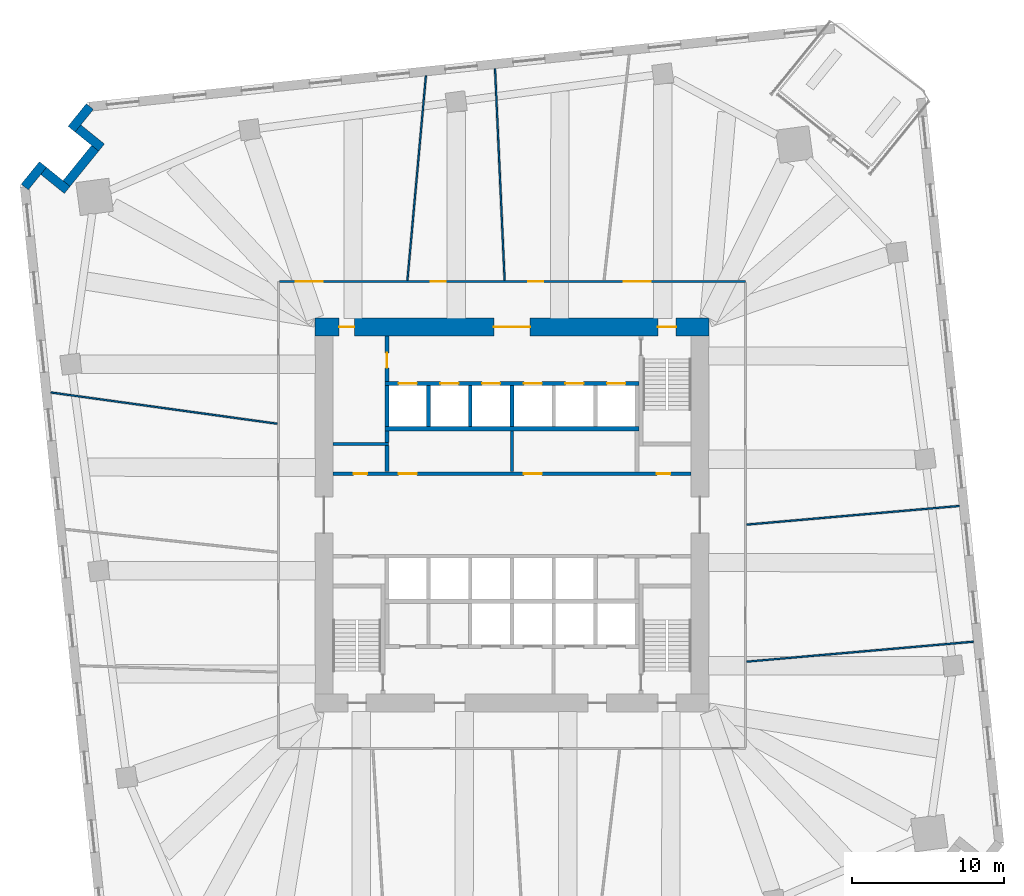
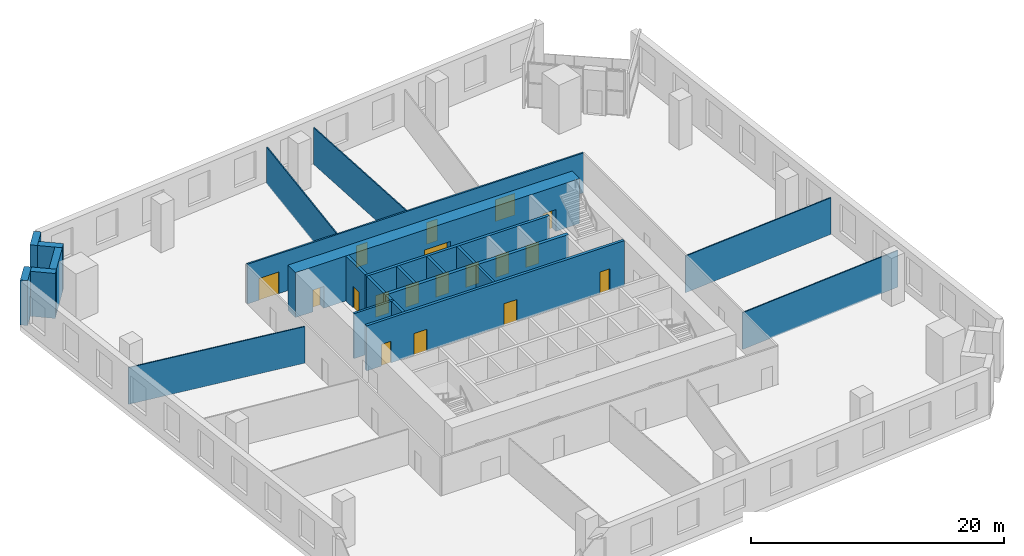
# One storey, part 6 of 10: 24 walls, 18 doors, 18 openings.
"""IFC4 building model written with IfcOpenShell, lengths in metres."""

import ifcopenshell
import ifcopenshell.guid

model = None  # the IFC model being written
_history = None  # IfcOwnerHistory: only IFC2X3 demands one
_inside = {}  # id of a spatial element -> (the spatial element, [elements in it])
_under = {}  # id of a project, library or spatial element -> (it, [spatial elements below it])
_declared = {}  # id of a project -> (the project, [libraries it declares])
_typed = {}  # id of a type object -> (the type object, [elements of that type])
_made_of = {}  # id of a material, layer set ... -> (it, [elements and type objects made of it])


def new_model(schema):
    """Start an empty IFC model of exactly this schema.

    Asked for "IFC4X3", IfcOpenShell would pick the latest addendum, in which some entities
    have other attributes; the version numbers below select the first issue.
    IFC2X3 requires an IfcOwnerHistory on every rooted entity: one is made here for all.
    """
    global model, _history
    if schema == "IFC4X3":
        model = ifcopenshell.file(schema_version=(4, 3, 0, 0))
    else:
        model = ifcopenshell.file(schema=schema)
    _inside.clear()
    _under.clear()
    _declared.clear()
    _typed.clear()
    _made_of.clear()
    _history = None
    if model.schema == "IFC2X3":
        org = make("IfcOrganization", Name="unknown")
        user = make(
            "IfcPersonAndOrganization",
            ThePerson=make("IfcPerson", FamilyName="unknown"),
            TheOrganization=org,
        )
        app = make(
            "IfcApplication",
            ApplicationDeveloper=org,
            Version="unknown",
            ApplicationFullName="unknown",
            ApplicationIdentifier="unknown",
        )
        _history = make(
            "IfcOwnerHistory",
            OwningUser=user,
            OwningApplication=app,
            ChangeAction="ADDED",
            CreationDate=0,
        )
    return model


def make(cls, **values):
    """One entity of the class cls with the attributes given. An attribute that is None is left unset."""
    return model.create_entity(
        cls, **{name: value for name, value in values.items() if value is not None}
    )


def rooted(cls, **values):
    """An entity with a GlobalId (a new one), such as an element, a storey or a relation."""
    return make(cls, GlobalId=ifcopenshell.guid.new(), OwnerHistory=_history, **values)


def si_unit(unit_type, name, prefix=None):
    """IfcSIUnit, for example si_unit("LENGTHUNIT", "METRE", prefix="MILLI")."""
    return make("IfcSIUnit", UnitType=unit_type, Prefix=prefix, Name=name)


def assignment(units):
    """IfcUnitAssignment: the units of a project."""
    return None if units is None else make("IfcUnitAssignment", Units=units)


def point(xyz):
    """IfcCartesianPoint."""
    return None if xyz is None else make("IfcCartesianPoint", Coordinates=xyz)


def direction(xyz):
    """IfcDirection."""
    return None if xyz is None else make("IfcDirection", DirectionRatios=xyz)


def frame(location, z_axis=None, x_axis=None):
    """IfcAxis2Placement3D, a coordinate frame: its origin and axes. An axis left out is left unset."""
    return make(
        "IfcAxis2Placement3D",
        Location=point(location),
        Axis=direction(z_axis),
        RefDirection=direction(x_axis),
    )


def frame_2d(location, x_axis=None):
    """IfcAxis2Placement2D, a coordinate frame in the plane: its origin and x axis."""
    return make(
        "IfcAxis2Placement2D", Location=point(location), RefDirection=direction(x_axis)
    )


def origin():
    """The frame at (0, 0, 0) with its axes left unset."""
    return frame((0.0, 0.0, 0.0))


def place(relative_to, where):
    """IfcLocalPlacement: puts the frame where relative to a parent placement (None: the world)."""
    return make(
        "IfcLocalPlacement", PlacementRelTo=relative_to, RelativePlacement=where
    )


def context(
    kind, dimensions, precision=None, world=None, true_north=None, identifier=None
):
    """IfcGeometricRepresentationContext, for example the 3D "Model" context."""
    return make(
        "IfcGeometricRepresentationContext",
        ContextIdentifier=identifier,
        ContextType=kind,
        CoordinateSpaceDimension=dimensions,
        Precision=precision,
        WorldCoordinateSystem=world,
        TrueNorth=true_north,
    )


def subcontext(parent, identifier, kind, view, scale=None):
    """IfcGeometricRepresentationSubContext, for example "Body" below "Model"."""
    return make(
        "IfcGeometricRepresentationSubContext",
        ContextIdentifier=identifier,
        ContextType=kind,
        ParentContext=parent,
        TargetScale=scale,
        TargetView=view,
    )


def project(units=None, contexts=None):
    """IfcProject with its units and contexts."""
    return rooted(
        "IfcProject",
        Name="project",
        RepresentationContexts=contexts,
        UnitsInContext=assignment(units),
    )


def spatial(cls, under=None, at=None, **own):
    """A site, building, storey or space (cls), placed at a placement, below another one or the project."""
    s = rooted(cls, ObjectPlacement=at, **own)
    if under is not None:
        _under.setdefault(under.id(), (under, []))[1].append(s)
    return s


def profile(cls, at=None, kind="AREA", **sizes):
    """A parametric profile (cls). Its sizes go by their IFC names, for example OverallWidth=200.0."""
    return make(cls, ProfileType=kind, Position=at, **sizes)


def rectangle(**sizes):
    """IfcRectangleProfileDef."""
    return profile("IfcRectangleProfileDef", **sizes)


def extrude(swept, where, along, depth):
    """IfcExtrudedAreaSolid: the profile swept, set in the frame where, extruded along a direction by depth."""
    return make(
        "IfcExtrudedAreaSolid",
        SweptArea=swept,
        Position=where,
        ExtrudedDirection=direction(along),
        Depth=depth,
    )


def shape(context_of_items, identifier, shape_type, items):
    """IfcShapeRepresentation: the items that make up one representation, for example the "Body"."""
    return make(
        "IfcShapeRepresentation",
        ContextOfItems=context_of_items,
        RepresentationIdentifier=identifier,
        RepresentationType=shape_type,
        Items=items,
    )


def material(Name=None, Category=None):
    """IfcMaterial."""
    return make("IfcMaterial", Name=Name, Category=Category)


def layer(
    of_material, thickness, ventilated=None, Name=None, Category=None, Priority=None
):
    """IfcMaterialLayer: one layer of a wall or slab, of a material (None: an air gap)."""
    return make(
        "IfcMaterialLayer",
        Material=of_material,
        LayerThickness=thickness,
        IsVentilated=ventilated,
        Name=Name,
        Category=Category,
        Priority=Priority,
    )


def layer_set(layers, Name=None):
    """IfcMaterialLayerSet."""
    return make("IfcMaterialLayerSet", MaterialLayers=layers, LayerSetName=Name)


def made_of(thing, what):
    """Note that an element or type object is made of a material, layer set ...; save() writes the relation."""
    if what is not None:
        _made_of.setdefault(what.id(), (what, []))[1].append(thing)
    return thing


def type_object(cls, material=None, **own):
    """A type object (cls), such as IfcWallType, which elements share."""
    return made_of(rooted(cls, **own), material)


def element(
    cls,
    number,
    at=None,
    inside=None,
    cuts=None,
    type_object=None,
    material=None,
    context=None,
    identifier="Body",
    shape_type=None,
    held_by="IfcProductDefinitionShape",
    body=None,
    shapes=None,
    **own,
):
    """One element of the class cls, such as IfcWall. Its Tag is "e" and its number.

    at: its placement. inside: the storey or other place that contains it. cuts: it is an
    opening in that element (IfcRelVoidsElement). A single representation is given by context,
    identifier, shape_type and body (its items); several are given by shapes. held_by: the class
    of the entity that holds the representations. save() writes the other relations.
    """
    e = rooted(cls, Tag="e%d" % number, ObjectPlacement=at, **own)
    if body is not None:
        shapes = [shape(context, identifier, shape_type, body)]
    if shapes is not None:
        e.Representation = make(held_by, Representations=shapes)
    if inside is not None:
        _inside.setdefault(inside.id(), (inside, []))[1].append(e)
    if cuts is not None:
        rooted(
            "IfcRelVoidsElement", RelatingBuildingElement=cuts, RelatedOpeningElement=e
        )
    if type_object is not None:
        _typed.setdefault(type_object.id(), (type_object, []))[1].append(e)
    return made_of(e, material)


def fill(opening, filler):
    """IfcRelFillsElement: the door or window that sits in an opening."""
    return rooted(
        "IfcRelFillsElement",
        RelatingOpeningElement=opening,
        RelatedBuildingElement=filler,
    )


def aggregate(whole, parts):
    """IfcRelAggregates: a whole, such as a stair, and the parts it consists of."""
    return rooted("IfcRelAggregates", RelatingObject=whole, RelatedObjects=parts)


def save(model, path):
    """Write the relations noted so far, then the file.

    IfcRelAggregates (storeys below a building ...), IfcRelContainedInSpatialStructure (elements
    in a storey), IfcRelDefinesByType, IfcRelAssociatesMaterial and IfcRelDeclares: one each for
    every whole, place, type object, material and project.
    """
    for whole, parts in _under.values():
        aggregate(whole, parts)
    for where, things in _inside.values():
        rooted(
            "IfcRelContainedInSpatialStructure",
            RelatedElements=things,
            RelatingStructure=where,
        )
    for kind, things in _typed.values():
        rooted("IfcRelDefinesByType", RelatedObjects=things, RelatingType=kind)
    for what, things in _made_of.values():
        rooted("IfcRelAssociatesMaterial", RelatedObjects=things, RelatingMaterial=what)
    for by, libraries in _declared.values():
        rooted("IfcRelDeclares", RelatingContext=by, RelatedDefinitions=libraries)
    model.write(path)


model = new_model("IFC4")

# Units and contexts
model_context = context("Model", 3, precision=1e-05, world=origin(), true_north=direction((0.0, 1.0)))
body_context = subcontext(model_context, "Body", "Model", "MODEL_VIEW")
ifc_project = project(units=[si_unit("LENGTHUNIT", "METRE"), si_unit("AREAUNIT", "SQUARE_METRE"), si_unit("VOLUMEUNIT", "CUBIC_METRE"), si_unit("PLANEANGLEUNIT", "RADIAN"), si_unit("MASSUNIT", "GRAM", prefix="KILO")], contexts=[model_context])

# Site, building, storey
site_placement = place(None, origin())
site = spatial("IfcSite", under=ifc_project, at=site_placement, CompositionType="ELEMENT")
building_placement = place(site_placement, origin())
building = spatial("IfcBuilding", under=site, at=building_placement, Name="Dilmun Exchange Tower", CompositionType="ELEMENT")
storey_placement = place(building_placement, frame((0.0, 0.0, 36.89990234375)))
storey = spatial("IfcBuildingStorey", under=building, at=storey_placement, Name="L08", CompositionType="ELEMENT", Elevation=36.89990234375)

# Walls
ifc_material_1 = material(Name="Concrete C40/50", Category="concrete")
ifc_layer_1 = layer(ifc_material_1, 0.199951171875)
ifc_layer_set_1 = layer_set([ifc_layer_1], Name="Concrete C40/50")
wall_type_1 = type_object("IfcWallType", Name="Core partition wall 200", PredefinedType="PARTITIONING", material=ifc_layer_set_1)
wall_1_placement = place(storey_placement, frame((0.0, 2.85498046875, 0.0), z_axis=(0.0, 0.0, 1.0), x_axis=(0.0, 1.0, 0.0)))
element("IfcWall", 1, at=wall_1_placement, inside=storey, type_object=wall_type_1, Name="L08 core partition wall 10", PredefinedType="PARTITIONING", context=body_context, shape_type="SweptSolid", body=[
    extrude(rectangle(XDim=2.68994140625, YDim=0.199951171875, at=frame_2d((1.344970703125, 0.0))), origin(), (0.0, 0.0, 1.0), 4.35009765625),
])
wall_2_placement = place(storey_placement, frame((-11.794921875, 4.675048828125, 0.0), z_axis=(0.0, 0.0, 1.0), x_axis=(1.0, 0.0, 0.0)))
element("IfcWall", 2, at=wall_2_placement, inside=storey, type_object=wall_type_1, Name="L08 core partition wall 12", PredefinedType="PARTITIONING", context=body_context, shape_type="SweptSolid", body=[
    extrude(rectangle(XDim=3.64501953125, YDim=0.199951171875, at=frame_2d((1.822509765625, 0.0))), origin(), (0.0, 0.0, 1.0), 4.35009765625),
])

# Wall, openings, doors
ifc_layer_2 = layer(ifc_material_1, 0.25)
ifc_layer_set_2 = layer_set([ifc_layer_2], Name="Concrete C40/50")
wall_type_2 = type_object("IfcWallType", Name="Core partition wall 250", PredefinedType="PARTITIONING", material=ifc_layer_set_2)
wall_3_placement = place(storey_placement, frame((-11.794921875, 2.72509765625, 0.0), z_axis=(0.0, 0.0, 1.0), x_axis=(1.0, 0.0, 0.0)))
wall_3 = element("IfcWall", 3, at=wall_3_placement, inside=storey, type_object=wall_type_2, Name="L08 core partition wall 08", PredefinedType="PARTITIONING", context=body_context, shape_type="SweptSolid", body=[
    extrude(rectangle(XDim=23.58984375, YDim=0.25, at=frame_2d((11.794921875, 0.0))), origin(), (0.0, 0.0, 1.0), 4.35009765625),
])
opening_1_placement = place(wall_3_placement, frame((21.344970703125, 0.0, 0.0)))
opening_1 = element("IfcOpeningElement", 4, at=opening_1_placement, cuts=wall_3, Name="Opening CD6", PredefinedType="OPENING", context=body_context, shape_type="SweptSolid", body=[
    extrude(rectangle(XDim=0.89990234375, YDim=2.10009765625, at=frame_2d((0.449951171875, 1.050048828125))), frame((0.0, 0.135009765625, 0.0), z_axis=(0.0, -1.0, 0.0), x_axis=(1.0, 0.0, 0.0)), (0.0, 0.0, 1.0), 0.27001953125),
])
opening_2_placement = place(wall_3_placement, frame((1.344970703125, 0.0, 0.0)))
opening_2 = element("IfcOpeningElement", 5, at=opening_2_placement, cuts=wall_3, Name="Opening CD6", PredefinedType="OPENING", context=body_context, shape_type="SweptSolid", body=[
    extrude(rectangle(XDim=0.89990234375, YDim=2.10009765625, at=frame_2d((0.449951171875, 1.050048828125))), frame((0.0, 0.135009765625, 0.0), z_axis=(0.0, -1.0, 0.0), x_axis=(1.0, 0.0, 0.0)), (0.0, 0.0, 1.0), 0.27001953125),
])
opening_3_placement = place(wall_3_placement, frame((4.320068359375, 0.0, 0.0)))
opening_3 = element("IfcOpeningElement", 6, at=opening_3_placement, cuts=wall_3, Name="Opening CD3", PredefinedType="OPENING", context=body_context, shape_type="SweptSolid", body=[
    extrude(rectangle(XDim=1.199951171875, YDim=2.10009765625, at=frame_2d((0.60009765625, 1.050048828125))), frame((0.0, 0.135009765625, 0.0), z_axis=(0.0, -1.0, 0.0), x_axis=(1.0, 0.0, 0.0)), (0.0, 0.0, 1.0), 0.27001953125),
])
opening_4_placement = place(wall_3_placement, frame((12.570068359375, 0.0, 0.0)))
opening_4 = element("IfcOpeningElement", 7, at=opening_4_placement, cuts=wall_3, Name="Opening CD3", PredefinedType="OPENING", context=body_context, shape_type="SweptSolid", body=[
    extrude(rectangle(XDim=1.199951171875, YDim=2.10009765625, at=frame_2d((0.60009765625, 1.050048828125))), frame((0.0, 0.135009765625, 0.0), z_axis=(0.0, -1.0, 0.0), x_axis=(1.0, 0.0, 0.0)), (0.0, 0.0, 1.0), 0.27001953125),
])
ifc_material_2 = material(Name="Fire-rated steel door set", Category="steel")
door_type_1 = type_object("IfcDoorType", Name="Core room door 900x2100", OperationType="SINGLE_SWING_LEFT", PredefinedType="DOOR", material=ifc_material_2)
door_1_placement = place(opening_1_placement, origin())
door_1 = element("IfcDoor", 8, at=door_1_placement, inside=storey, type_object=door_type_1, Name="L08 door Electrical riser", OperationType="SINGLE_SWING_LEFT", OverallHeight=2.10009765625, OverallWidth=0.89990234375, PredefinedType="DOOR", context=body_context, shape_type="SweptSolid", body=[
    extrude(rectangle(XDim=0.89990234375, YDim=2.10009765625, at=frame_2d((0.449951171875, 1.050048828125))), frame((0.0, 0.02490234375, 0.0), z_axis=(0.0, -1.0, 0.0), x_axis=(1.0, 0.0, 0.0)), (0.0, 0.0, 1.0), 0.050048828125),
])
fill(opening_1, door_1)
door_2_placement = place(opening_2_placement, origin())
door_2 = element("IfcDoor", 9, at=door_2_placement, inside=storey, type_object=door_type_1, Name="L08 door Plumbing riser", OperationType="SINGLE_SWING_LEFT", OverallHeight=2.10009765625, OverallWidth=0.89990234375, PredefinedType="DOOR", context=body_context, shape_type="SweptSolid", body=[
    extrude(rectangle(XDim=0.89990234375, YDim=2.10009765625, at=frame_2d((0.449951171875, 1.050048828125))), frame((0.0, 0.02490234375, 0.0), z_axis=(0.0, -1.0, 0.0), x_axis=(1.0, 0.0, 0.0)), (0.0, 0.0, 1.0), 0.050048828125),
])
fill(opening_2, door_2)
door_type_2 = type_object("IfcDoorType", Name="Stair exit door 1200x2100", OperationType="SINGLE_SWING_LEFT", PredefinedType="DOOR", material=ifc_material_2)
door_3_placement = place(opening_3_placement, origin())
door_3 = element("IfcDoor", 10, at=door_3_placement, inside=storey, type_object=door_type_2, Name="L08 door Building management office", OperationType="SINGLE_SWING_LEFT", OverallHeight=2.10009765625, OverallWidth=1.199951171875, PredefinedType="DOOR", context=body_context, shape_type="SweptSolid", body=[
    extrude(rectangle(XDim=1.199951171875, YDim=2.10009765625, at=frame_2d((0.60009765625, 1.050048828125))), frame((0.0, 0.02490234375, 0.0), z_axis=(0.0, -1.0, 0.0), x_axis=(1.0, 0.0, 0.0)), (0.0, 0.0, 1.0), 0.050048828125),
])
fill(opening_3, door_3)
door_4_placement = place(opening_4_placement, origin())
door_4 = element("IfcDoor", 11, at=door_4_placement, inside=storey, type_object=door_type_2, Name="L08 door Tenant meeting suite", OperationType="SINGLE_SWING_LEFT", OverallHeight=2.10009765625, OverallWidth=1.199951171875, PredefinedType="DOOR", context=body_context, shape_type="SweptSolid", body=[
    extrude(rectangle(XDim=1.199951171875, YDim=2.10009765625, at=frame_2d((0.60009765625, 1.050048828125))), frame((0.0, 0.02490234375, 0.0), z_axis=(0.0, -1.0, 0.0), x_axis=(1.0, 0.0, 0.0)), (0.0, 0.0, 1.0), 0.050048828125),
])
fill(opening_4, door_4)

# Walls
wall_4_placement = place(storey_placement, frame((-8.25, 2.85498046875, 0.0), z_axis=(0.0, 0.0, 1.0), x_axis=(0.0, 1.0, 0.0)))
element("IfcWall", 12, at=wall_4_placement, inside=storey, type_object=wall_type_2, Name="L08 core partition wall 09", PredefinedType="PARTITIONING", context=body_context, shape_type="SweptSolid", body=[
    extrude(rectangle(XDim=1.715087890625, YDim=0.25, at=frame_2d((0.857421875, 0.0))), origin(), (0.0, 0.0, 1.0), 4.35009765625),
])
wall_5_placement = place(storey_placement, frame((-8.25, 4.780029296875, 0.0), z_axis=(0.0, 0.0, 1.0), x_axis=(0.0, 1.0, 0.0)))
element("IfcWall", 13, at=wall_5_placement, inside=storey, type_object=wall_type_2, Name="L08 core partition wall 13", PredefinedType="PARTITIONING", context=body_context, shape_type="SweptSolid", body=[
    extrude(rectangle(XDim=0.764892578125, YDim=0.25, at=frame_2d((0.38232421875, 0.0))), origin(), (0.0, 0.0, 1.0), 4.35009765625),
])

# Wall, opening, door
wall_6_placement = place(storey_placement, frame((-8.25, 8.804931640625, 0.0), z_axis=(0.0, 0.0, 1.0), x_axis=(0.0, 1.0, 0.0)))
wall_6 = element("IfcWall", 14, at=wall_6_placement, inside=storey, type_object=wall_type_2, Name="L08 core partition wall 14", PredefinedType="PARTITIONING", context=body_context, shape_type="SweptSolid", body=[
    extrude(rectangle(XDim=2.989990234375, YDim=0.25, at=frame_2d((1.4951171875, 0.0))), origin(), (0.0, 0.0, 1.0), 4.35009765625),
])
opening_5_placement = place(wall_6_placement, frame((0.89501953125, 0.0, 0.0)))
opening_5 = element("IfcOpeningElement", 15, at=opening_5_placement, cuts=wall_6, Name="Opening CD4", PredefinedType="OPENING", context=body_context, shape_type="SweptSolid", body=[
    extrude(rectangle(XDim=1.0, YDim=2.10009765625, at=frame_2d((0.5, 1.050048828125))), frame((0.0, 0.135009765625, 0.0), z_axis=(0.0, -1.0, 0.0), x_axis=(1.0, 0.0, 0.0)), (0.0, 0.0, 1.0), 0.27001953125),
])
door_type_3 = type_object("IfcDoorType", Name="Core room door 1000x2100", OperationType="SINGLE_SWING_LEFT", PredefinedType="DOOR", material=ifc_material_2)
door_5_placement = place(opening_5_placement, origin())
door_5 = element("IfcDoor", 16, at=door_5_placement, inside=storey, type_object=door_type_3, Name="L08 door Building services room", OperationType="SINGLE_SWING_LEFT", OverallHeight=2.10009765625, OverallWidth=1.0, PredefinedType="DOOR", context=body_context, shape_type="SweptSolid", body=[
    extrude(rectangle(XDim=1.0, YDim=2.10009765625, at=frame_2d((0.5, 1.050048828125))), frame((0.0, 0.02490234375, 0.0), z_axis=(0.0, -1.0, 0.0), x_axis=(1.0, 0.0, 0.0)), (0.0, 0.0, 1.0), 0.050048828125),
])
fill(opening_5, door_5)

# Wall, openings, doors
ifc_material_3 = material(Name="Concrete C80/95", Category="concrete")
ifc_layer_3 = layer(ifc_material_3, 1.199951171875)
ifc_layer_set_3 = layer_set([ifc_layer_3], Name="Concrete C80/95")
wall_type_3 = type_object("IfcWallType", Name="Core shear wall 1200 Concrete C80/95", PredefinedType="SHEAR", material=ifc_layer_set_3)
wall_7_placement = place(storey_placement, frame((-13.0, 12.39990234375, 0.0), z_axis=(0.0, 0.0, 1.0), x_axis=(1.0, 0.0, 0.0)))
wall_7 = element("IfcWall", 17, at=wall_7_placement, inside=storey, type_object=wall_type_3, Name="L08 core shear wall N", PredefinedType="SHEAR", context=body_context, shape_type="SweptSolid", body=[
    extrude(rectangle(XDim=26.0, YDim=1.199951171875, at=frame_2d((13.0, 0.0))), origin(), (0.0, 0.0, 1.0), 4.35009765625),
])
opening_6_placement = place(wall_7_placement, frame((11.800048828125, 0.0, 0.0)))
opening_6 = element("IfcOpeningElement", 18, at=opening_6_placement, cuts=wall_7, Name="Opening CD1", PredefinedType="OPENING", context=body_context, shape_type="SweptSolid", body=[
    extrude(rectangle(XDim=2.39990234375, YDim=2.39990234375, at=frame_2d((1.199951171875, 1.199951171875))), frame((0.0, 0.60986328125, 0.0), z_axis=(0.0, -1.0, 0.0), x_axis=(1.0, 0.0, 0.0)), (0.0, 0.0, 1.0), 1.219970703125),
])
opening_7_placement = place(wall_7_placement, frame((22.625, 0.0, 0.0)))
opening_7 = element("IfcOpeningElement", 19, at=opening_7_placement, cuts=wall_7, Name="Opening CD3", PredefinedType="OPENING", context=body_context, shape_type="SweptSolid", body=[
    extrude(rectangle(XDim=1.199951171875, YDim=2.10009765625, at=frame_2d((0.60009765625, 1.050048828125))), frame((0.0, 0.60986328125, 0.0), z_axis=(0.0, -1.0, 0.0), x_axis=(1.0, 0.0, 0.0)), (0.0, 0.0, 1.0), 1.219970703125),
])
opening_8_placement = place(wall_7_placement, frame((1.60009765625, 0.0, 0.0)))
opening_8 = element("IfcOpeningElement", 20, at=opening_8_placement, cuts=wall_7, Name="Opening CD4", PredefinedType="OPENING", context=body_context, shape_type="SweptSolid", body=[
    extrude(rectangle(XDim=1.0, YDim=2.10009765625, at=frame_2d((0.5, 1.050048828125))), frame((0.0, 0.60986328125, 0.0), z_axis=(0.0, -1.0, 0.0), x_axis=(1.0, 0.0, 0.0)), (0.0, 0.0, 1.0), 1.219970703125),
])
door_type_4 = type_object("IfcDoorType", Name="Core lobby door 2400x2400", OperationType="DOUBLE_DOOR_DOUBLE_SWING", PredefinedType="DOOR", material=ifc_material_2)
door_6_placement = place(opening_6_placement, origin())
door_6 = element("IfcDoor", 21, at=door_6_placement, inside=storey, type_object=door_type_4, Name="L08 door North lift lobby", OperationType="SINGLE_SWING_LEFT", OverallHeight=2.39990234375, OverallWidth=2.39990234375, PredefinedType="DOOR", context=body_context, shape_type="SweptSolid", body=[
    extrude(rectangle(XDim=2.39990234375, YDim=2.39990234375, at=frame_2d((1.199951171875, 1.199951171875))), frame((0.0, 0.02490234375, 0.0), z_axis=(0.0, -1.0, 0.0), x_axis=(1.0, 0.0, 0.0)), (0.0, 0.0, 1.0), 0.050048828125),
])
fill(opening_6, door_6)
door_7_placement = place(opening_8_placement, origin())
door_7 = element("IfcDoor", 22, at=door_7_placement, inside=storey, type_object=door_type_3, Name="L08 door North-west core rooms", OperationType="SINGLE_SWING_LEFT", OverallHeight=2.10009765625, OverallWidth=1.0, PredefinedType="DOOR", context=body_context, shape_type="SweptSolid", body=[
    extrude(rectangle(XDim=1.0, YDim=2.10009765625, at=frame_2d((0.5, 1.050048828125))), frame((0.0, 0.02490234375, 0.0), z_axis=(0.0, -1.0, 0.0), x_axis=(1.0, 0.0, 0.0)), (0.0, 0.0, 1.0), 0.050048828125),
])
fill(opening_8, door_7)
door_8_placement = place(opening_7_placement, origin())
door_8 = element("IfcDoor", 23, at=door_8_placement, inside=storey, type_object=door_type_2, Name="L08 door Stair ST1", OperationType="SINGLE_SWING_LEFT", OverallHeight=2.10009765625, OverallWidth=1.199951171875, PredefinedType="DOOR", context=body_context, shape_type="SweptSolid", body=[
    extrude(rectangle(XDim=1.199951171875, YDim=2.10009765625, at=frame_2d((0.60009765625, 1.050048828125))), frame((0.0, 0.02490234375, 0.0), z_axis=(0.0, -1.0, 0.0), x_axis=(1.0, 0.0, 0.0)), (0.0, 0.0, 1.0), 0.050048828125),
])
fill(opening_7, door_8)

ifc_material_4 = material(Name="Corridor wall 150")
ifc_layer_4 = layer(ifc_material_4, 0.14990234375)
ifc_layer_set_4 = layer_set([ifc_layer_4], Name="Corridor wall 150")
wall_type_4 = type_object("IfcWallType", Name="Corridor wall 150", PredefinedType="PARTITIONING", material=ifc_layer_set_4)
wall_8_placement = place(storey_placement, frame((-15.324951171875, 15.39990234375, 0.0), z_axis=(0.0, 0.0, 1.0), x_axis=(1.0, 0.0, 0.0)))
wall_8 = element("IfcWall", 24, at=wall_8_placement, inside=storey, type_object=wall_type_4, Name="Corridor wall", PredefinedType="PARTITIONING", context=body_context, shape_type="SweptSolid", body=[
    extrude(rectangle(XDim=30.724853515625, YDim=0.14990234375, at=frame_2d((15.3623046875, 0.0))), origin(), (0.0, 0.0, 1.0), 3.85009765625),
])
opening_9_placement = place(wall_8_placement, frame((1.050048828125, 0.0, 0.0)))
opening_9 = element("IfcOpeningElement", 25, at=opening_9_placement, cuts=wall_8, Name="Opening TF08-D03", PredefinedType="OPENING", context=body_context, shape_type="SweptSolid", body=[
    extrude(rectangle(XDim=1.800048828125, YDim=2.10009765625, at=frame_2d((0.89990234375, 1.050048828125))), frame((0.0, 0.0849609375, 0.0), z_axis=(0.0, -1.0, 0.0), x_axis=(1.0, 0.0, 0.0)), (0.0, 0.0, 1.0), 0.169921875),
])
opening_10_placement = place(wall_8_placement, frame((9.970458984375, 0.0, 0.0)))
opening_10 = element("IfcOpeningElement", 26, at=opening_10_placement, cuts=wall_8, Name="Opening TF08-D08", PredefinedType="OPENING", context=body_context, shape_type="SweptSolid", body=[
    extrude(rectangle(XDim=1.0, YDim=2.10009765625, at=frame_2d((0.5, 1.050048828125))), frame((0.0, 0.0849609375, 0.0), z_axis=(0.0, -1.0, 0.0), x_axis=(1.0, 0.0, 0.0)), (0.0, 0.0, 1.0), 0.169921875),
])
opening_11_placement = place(wall_8_placement, frame((16.388916015625, 0.0, 0.0)))
opening_11 = element("IfcOpeningElement", 27, at=opening_11_placement, cuts=wall_8, Name="Opening TF08-D09", PredefinedType="OPENING", context=body_context, shape_type="SweptSolid", body=[
    extrude(rectangle(XDim=1.0, YDim=2.10009765625, at=frame_2d((0.5, 1.050048828125))), frame((0.0, 0.0849609375, 0.0), z_axis=(0.0, -1.0, 0.0), x_axis=(1.0, 0.0, 0.0)), (0.0, 0.0, 1.0), 0.169921875),
])
opening_12_placement = place(wall_8_placement, frame((22.689697265625, 0.0, 0.0)))
opening_12 = element("IfcOpeningElement", 28, at=opening_12_placement, cuts=wall_8, Name="Opening TF08-D11", PredefinedType="OPENING", context=body_context, shape_type="SweptSolid", body=[
    extrude(rectangle(XDim=1.800048828125, YDim=2.10009765625, at=frame_2d((0.89990234375, 1.050048828125))), frame((0.0, 0.0849609375, 0.0), z_axis=(0.0, -1.0, 0.0), x_axis=(1.0, 0.0, 0.0)), (0.0, 0.0, 1.0), 0.169921875),
])
ifc_material_5 = material(Name="Fire door 1000 x 2100")
door_type_5 = type_object("IfcDoorType", Name="Fire door 1000 x 2100", OperationType="NOTDEFINED", PredefinedType="DOOR", material=ifc_material_5)
door_9_placement = place(opening_10_placement, origin())
door_9 = element("IfcDoor", 29, at=door_9_placement, inside=storey, type_object=door_type_5, Name="Door TF08-D08", OperationType="SINGLE_SWING_LEFT", OverallHeight=2.10009765625, OverallWidth=1.0, PredefinedType="DOOR", context=body_context, shape_type="SweptSolid", body=[
    extrude(rectangle(XDim=1.0, YDim=2.10009765625, at=frame_2d((0.5, 1.050048828125))), frame((0.0, 0.02490234375, 0.0), z_axis=(0.0, -1.0, 0.0), x_axis=(1.0, 0.0, 0.0)), (0.0, 0.0, 1.0), 0.050048828125),
])
fill(opening_10, door_9)
door_10_placement = place(opening_11_placement, origin())
door_10 = element("IfcDoor", 30, at=door_10_placement, inside=storey, type_object=door_type_5, Name="Door TF08-D09", OperationType="SINGLE_SWING_LEFT", OverallHeight=2.10009765625, OverallWidth=1.0, PredefinedType="DOOR", context=body_context, shape_type="SweptSolid", body=[
    extrude(rectangle(XDim=1.0, YDim=2.10009765625, at=frame_2d((0.5, 1.050048828125))), frame((0.0, 0.02490234375, 0.0), z_axis=(0.0, -1.0, 0.0), x_axis=(1.0, 0.0, 0.0)), (0.0, 0.0, 1.0), 0.050048828125),
])
fill(opening_11, door_10)
ifc_material_6 = material(Name="Fire door pair 1800 x 2100")
door_type_6 = type_object("IfcDoorType", Name="Fire door pair 1800 x 2100", OperationType="NOTDEFINED", PredefinedType="DOOR", material=ifc_material_6)
door_11_placement = place(opening_9_placement, origin())
door_11 = element("IfcDoor", 31, at=door_11_placement, inside=storey, type_object=door_type_6, Name="Door TF08-D03", OperationType="DOUBLE_DOOR_SINGLE_SWING", OverallHeight=2.10009765625, OverallWidth=1.800048828125, PredefinedType="DOOR", context=body_context, shape_type="SweptSolid", body=[
    extrude(rectangle(XDim=1.800048828125, YDim=2.10009765625, at=frame_2d((0.89990234375, 1.050048828125))), frame((0.0, 0.02490234375, 0.0), z_axis=(0.0, -1.0, 0.0), x_axis=(1.0, 0.0, 0.0)), (0.0, 0.0, 1.0), 0.050048828125),
])
fill(opening_9, door_11)
door_12_placement = place(opening_12_placement, origin())
door_12 = element("IfcDoor", 32, at=door_12_placement, inside=storey, type_object=door_type_6, Name="Door TF08-D11", OperationType="DOUBLE_DOOR_SINGLE_SWING", OverallHeight=2.10009765625, OverallWidth=1.800048828125, PredefinedType="DOOR", context=body_context, shape_type="SweptSolid", body=[
    extrude(rectangle(XDim=1.800048828125, YDim=2.10009765625, at=frame_2d((0.89990234375, 1.050048828125))), frame((0.0, 0.02490234375, 0.0), z_axis=(0.0, -1.0, 0.0), x_axis=(1.0, 0.0, 0.0)), (0.0, 0.0, 1.0), 0.050048828125),
])
fill(opening_12, door_12)

# Wall
ifc_layer_5 = layer(ifc_material_1, 0.300048828125)
ifc_layer_set_5 = layer_set([ifc_layer_5], Name="Concrete C40/50")
wall_type_5 = type_object("IfcWallType", Name="Lift shaft shared wall 300", PredefinedType="SOLIDWALL", material=ifc_layer_set_5)
wall_9_placement = place(storey_placement, frame((-8.375, 5.699951171875, 0.0), z_axis=(0.0, 0.0, 1.0), x_axis=(1.0, 0.0, 0.0)))
element("IfcWall", 33, at=wall_9_placement, inside=storey, type_object=wall_type_5, Name="L08 lift shaft rear wall N", PredefinedType="SOLIDWALL", context=body_context, shape_type="SweptSolid", body=[
    extrude(rectangle(XDim=16.75, YDim=0.300048828125, at=frame_2d((8.375, 0.0))), origin(), (0.0, 0.0, 1.0), 4.35009765625),
])

# Wall, openings, doors
ifc_layer_6 = layer(ifc_material_1, 0.25)
ifc_layer_set_6 = layer_set([ifc_layer_6], Name="Concrete C40/50")
wall_type_6 = type_object("IfcWallType", Name="Lift shaft wall 250", PredefinedType="SOLIDWALL", material=ifc_layer_set_6)
wall_10_placement = place(storey_placement, frame((-8.375, 8.675048828125, 0.0), z_axis=(0.0, 0.0, 1.0), x_axis=(1.0, 0.0, 0.0)))
wall_10 = element("IfcWall", 34, at=wall_10_placement, inside=storey, type_object=wall_type_6, Name="L08 lift shaft front wall N2", PredefinedType="SOLIDWALL", context=body_context, shape_type="SweptSolid", body=[
    extrude(rectangle(XDim=16.75, YDim=0.25, at=frame_2d((8.375, 0.0))), origin(), (0.0, 0.0, 1.0), 4.35009765625),
])
opening_13_placement = place(wall_10_placement, frame((0.89990234375, 0.0, 0.0)))
opening_13 = element("IfcOpeningElement", 35, at=opening_13_placement, cuts=wall_10, Name="Opening LD", PredefinedType="OPENING", context=body_context, shape_type="SweptSolid", body=[
    extrude(rectangle(XDim=1.199951171875, YDim=2.10009765625, at=frame_2d((0.60009765625, 1.050048828125))), frame((0.0, 0.135009765625, 0.0), z_axis=(0.0, -1.0, 0.0), x_axis=(1.0, 0.0, 0.0)), (0.0, 0.0, 1.0), 0.27001953125),
])
opening_14_placement = place(wall_10_placement, frame((3.64990234375, 0.0, 0.0)))
opening_14 = element("IfcOpeningElement", 36, at=opening_14_placement, cuts=wall_10, Name="Opening LD", PredefinedType="OPENING", context=body_context, shape_type="SweptSolid", body=[
    extrude(rectangle(XDim=1.199951171875, YDim=2.10009765625, at=frame_2d((0.60009765625, 1.050048828125))), frame((0.0, 0.135009765625, 0.0), z_axis=(0.0, -1.0, 0.0), x_axis=(1.0, 0.0, 0.0)), (0.0, 0.0, 1.0), 0.27001953125),
])
opening_15_placement = place(wall_10_placement, frame((6.39990234375, 0.0, 0.0)))
opening_15 = element("IfcOpeningElement", 37, at=opening_15_placement, cuts=wall_10, Name="Opening LD", PredefinedType="OPENING", context=body_context, shape_type="SweptSolid", body=[
    extrude(rectangle(XDim=1.199951171875, YDim=2.10009765625, at=frame_2d((0.60009765625, 1.050048828125))), frame((0.0, 0.135009765625, 0.0), z_axis=(0.0, -1.0, 0.0), x_axis=(1.0, 0.0, 0.0)), (0.0, 0.0, 1.0), 0.27001953125),
])
opening_16_placement = place(wall_10_placement, frame((9.14990234375, 0.0, 0.0)))
opening_16 = element("IfcOpeningElement", 38, at=opening_16_placement, cuts=wall_10, Name="Opening LD", PredefinedType="OPENING", context=body_context, shape_type="SweptSolid", body=[
    extrude(rectangle(XDim=1.199951171875, YDim=2.10009765625, at=frame_2d((0.60009765625, 1.050048828125))), frame((0.0, 0.135009765625, 0.0), z_axis=(0.0, -1.0, 0.0), x_axis=(1.0, 0.0, 0.0)), (0.0, 0.0, 1.0), 0.27001953125),
])
opening_17_placement = place(wall_10_placement, frame((11.89990234375, 0.0, 0.0)))
opening_17 = element("IfcOpeningElement", 39, at=opening_17_placement, cuts=wall_10, Name="Opening LD", PredefinedType="OPENING", context=body_context, shape_type="SweptSolid", body=[
    extrude(rectangle(XDim=1.199951171875, YDim=2.10009765625, at=frame_2d((0.60009765625, 1.050048828125))), frame((0.0, 0.135009765625, 0.0), z_axis=(0.0, -1.0, 0.0), x_axis=(1.0, 0.0, 0.0)), (0.0, 0.0, 1.0), 0.27001953125),
])
opening_18_placement = place(wall_10_placement, frame((14.64990234375, 0.0, 0.0)))
opening_18 = element("IfcOpeningElement", 40, at=opening_18_placement, cuts=wall_10, Name="Opening LD", PredefinedType="OPENING", context=body_context, shape_type="SweptSolid", body=[
    extrude(rectangle(XDim=1.199951171875, YDim=2.10009765625, at=frame_2d((0.60009765625, 1.050048828125))), frame((0.0, 0.135009765625, 0.0), z_axis=(0.0, -1.0, 0.0), x_axis=(1.0, 0.0, 0.0)), (0.0, 0.0, 1.0), 0.27001953125),
])
door_type_7 = type_object("IfcDoorType", Name="Lift landing door 1200x2100", OperationType="DOUBLE_DOOR_SLIDING", PredefinedType="DOOR", material=ifc_material_2)
door_13_placement = place(opening_13_placement, origin())
door_13 = element("IfcDoor", 41, at=door_13_placement, inside=storey, type_object=door_type_7, Name="L08 landing door LR1", OperationType="DOUBLE_DOOR_SLIDING", OverallHeight=2.10009765625, OverallWidth=1.199951171875, PredefinedType="DOOR", context=body_context, shape_type="SweptSolid", body=[
    extrude(rectangle(XDim=1.199951171875, YDim=2.10009765625, at=frame_2d((0.60009765625, 1.050048828125))), frame((0.0, 0.02490234375, 0.0), z_axis=(0.0, -1.0, 0.0), x_axis=(1.0, 0.0, 0.0)), (0.0, 0.0, 1.0), 0.050048828125),
])
fill(opening_13, door_13)
door_14_placement = place(opening_14_placement, origin())
door_14 = element("IfcDoor", 42, at=door_14_placement, inside=storey, type_object=door_type_7, Name="L08 landing door LR2", OperationType="DOUBLE_DOOR_SLIDING", OverallHeight=2.10009765625, OverallWidth=1.199951171875, PredefinedType="DOOR", context=body_context, shape_type="SweptSolid", body=[
    extrude(rectangle(XDim=1.199951171875, YDim=2.10009765625, at=frame_2d((0.60009765625, 1.050048828125))), frame((0.0, 0.02490234375, 0.0), z_axis=(0.0, -1.0, 0.0), x_axis=(1.0, 0.0, 0.0)), (0.0, 0.0, 1.0), 0.050048828125),
])
fill(opening_14, door_14)
door_15_placement = place(opening_15_placement, origin())
door_15 = element("IfcDoor", 43, at=door_15_placement, inside=storey, type_object=door_type_7, Name="L08 landing door LR3", OperationType="DOUBLE_DOOR_SLIDING", OverallHeight=2.10009765625, OverallWidth=1.199951171875, PredefinedType="DOOR", context=body_context, shape_type="SweptSolid", body=[
    extrude(rectangle(XDim=1.199951171875, YDim=2.10009765625, at=frame_2d((0.60009765625, 1.050048828125))), frame((0.0, 0.02490234375, 0.0), z_axis=(0.0, -1.0, 0.0), x_axis=(1.0, 0.0, 0.0)), (0.0, 0.0, 1.0), 0.050048828125),
])
fill(opening_15, door_15)
door_16_placement = place(opening_16_placement, origin())
door_16 = element("IfcDoor", 44, at=door_16_placement, inside=storey, type_object=door_type_7, Name="L08 landing door LR4", OperationType="DOUBLE_DOOR_SLIDING", OverallHeight=2.10009765625, OverallWidth=1.199951171875, PredefinedType="DOOR", context=body_context, shape_type="SweptSolid", body=[
    extrude(rectangle(XDim=1.199951171875, YDim=2.10009765625, at=frame_2d((0.60009765625, 1.050048828125))), frame((0.0, 0.02490234375, 0.0), z_axis=(0.0, -1.0, 0.0), x_axis=(1.0, 0.0, 0.0)), (0.0, 0.0, 1.0), 0.050048828125),
])
fill(opening_16, door_16)
door_17_placement = place(opening_17_placement, origin())
door_17 = element("IfcDoor", 45, at=door_17_placement, inside=storey, type_object=door_type_7, Name="L08 landing door LR5", OperationType="DOUBLE_DOOR_SLIDING", OverallHeight=2.10009765625, OverallWidth=1.199951171875, PredefinedType="DOOR", context=body_context, shape_type="SweptSolid", body=[
    extrude(rectangle(XDim=1.199951171875, YDim=2.10009765625, at=frame_2d((0.60009765625, 1.050048828125))), frame((0.0, 0.02490234375, 0.0), z_axis=(0.0, -1.0, 0.0), x_axis=(1.0, 0.0, 0.0)), (0.0, 0.0, 1.0), 0.050048828125),
])
fill(opening_17, door_17)
door_18_placement = place(opening_18_placement, origin())
door_18 = element("IfcDoor", 46, at=door_18_placement, inside=storey, type_object=door_type_7, Name="L08 landing door LR6", OperationType="DOUBLE_DOOR_SLIDING", OverallHeight=2.10009765625, OverallWidth=1.199951171875, PredefinedType="DOOR", context=body_context, shape_type="SweptSolid", body=[
    extrude(rectangle(XDim=1.199951171875, YDim=2.10009765625, at=frame_2d((0.60009765625, 1.050048828125))), frame((0.0, 0.02490234375, 0.0), z_axis=(0.0, -1.0, 0.0), x_axis=(1.0, 0.0, 0.0)), (0.0, 0.0, 1.0), 0.050048828125),
])
fill(opening_18, door_18)

# Walls
for number, where, z_axis, x_axis, name in (
    (47, (-8.25, 5.85009765625, 0.0), (0.0, 0.0, 1.0), (0.0, 1.0, 0.0), "L08 lift shaft divider N20"),
    (48, (-5.5, 5.85009765625, 0.0), (0.0, 0.0, 1.0), (0.0, 1.0, 0.0), "L08 lift shaft divider N21"),
    (49, (-2.75, 5.85009765625, 0.0), (0.0, 0.0, 1.0), (0.0, 1.0, 0.0), "L08 lift shaft divider N22"),
    (50, (0.0, 5.85009765625, 0.0), (0.0, 0.0, 1.0), (0.0, 1.0, 0.0), "L08 lift shaft divider N23"),
):
    element("IfcWall", number, at=place(storey_placement, frame(where, z_axis=z_axis, x_axis=x_axis)), inside=storey, type_object=wall_type_6, Name=name, PredefinedType="SOLIDWALL", context=body_context, shape_type="SweptSolid", body=[
        extrude(rectangle(XDim=2.699951171875, YDim=0.25, at=frame_2d((1.35009765625, 0.0))), origin(), (0.0, 0.0, 1.0), 4.35009765625),
    ])
ifc_material_7 = material(Name="Partition 100")
ifc_layer_7 = layer(ifc_material_7, 0.10009765625)
ifc_layer_set_7 = layer_set([ifc_layer_7], Name="Partition 100")
wall_type_7 = type_object("IfcWallType", Name="Partition 100", PredefinedType="PARTITIONING", material=ifc_layer_set_7)
wall_11_placement = place(storey_placement, frame((-30.4091796875, 8.081298828125, 0.0), z_axis=(0.0, 0.0, 1.0), x_axis=(0.990611296102, -0.136708668474, 0.0)))
element("IfcWall", 51, at=wall_11_placement, inside=storey, type_object=wall_type_7, Name="Partition", PredefinedType="PARTITIONING", context=body_context, shape_type="SweptSolid", body=[
    extrude(rectangle(XDim=15.06884765625, YDim=0.10009765625, at=frame_2d((7.534423828125, 0.0))), origin(), (0.0, 0.0, 1.0), 3.550048828125),
])
wall_12_placement = place(storey_placement, frame((-6.896728515625, 15.4794921875, 0.0), z_axis=(0.0, 0.0, 1.0), x_axis=(0.090073977657, 0.995935077477, 0.0)))
element("IfcWall", 52, at=wall_12_placement, inside=storey, type_object=wall_type_7, Name="Partition", PredefinedType="PARTITIONING", context=body_context, shape_type="SweptSolid", body=[
    extrude(rectangle(XDim=13.53857421875, YDim=0.10009765625, at=frame_2d((6.769287109375, 0.0))), origin(), (0.0, 0.0, 1.0), 3.550048828125),
])
wall_13_placement = place(storey_placement, frame((-1.11962890625, 29.442138671875, 0.0), z_axis=(0.0, 0.0, 1.0), x_axis=(0.045215945181, -0.998977236128, 0.0)))
element("IfcWall", 53, at=wall_13_placement, inside=storey, type_object=wall_type_7, Name="Partition", PredefinedType="PARTITIONING", context=body_context, shape_type="SweptSolid", body=[
    extrude(rectangle(XDim=13.979248046875, YDim=0.10009765625, at=frame_2d((6.98974609375, 0.0))), origin(), (0.0, 0.0, 1.0), 3.550048828125),
])
wall_14_placement = place(storey_placement, frame((15.4794921875, -9.6708984375, 0.0), z_axis=(0.0, 0.0, 1.0), x_axis=(0.996145743112, 0.08771350227, 0.0)))
element("IfcWall", 54, at=wall_14_placement, inside=storey, type_object=wall_type_7, Name="Partition", PredefinedType="PARTITIONING", context=body_context, shape_type="SweptSolid", body=[
    extrude(rectangle(XDim=15.016357421875, YDim=0.10009765625, at=frame_2d((7.50830078125, 0.0))), origin(), (0.0, 0.0, 1.0), 3.550048828125),
])
wall_15_placement = place(storey_placement, frame((15.4794921875, -0.632080078125, 0.0), z_axis=(0.0, 0.0, 1.0), x_axis=(0.99617559828, 0.087373779768, 0.0)))
element("IfcWall", 55, at=wall_15_placement, inside=storey, type_object=wall_type_7, Name="Partition", PredefinedType="PARTITIONING", context=body_context, shape_type="SweptSolid", body=[
    extrude(rectangle(XDim=14.071533203125, YDim=0.10009765625, at=frame_2d((7.03564453125, 0.0))), origin(), (0.0, 0.0, 1.0), 3.550048828125),
])
ifc_material_8 = material(Name="Precast concrete C50/60", Category="concrete")
ifc_layer_8 = layer(ifc_material_8, 0.60009765625)
ifc_layer_set_8 = layer_set([ifc_layer_8], Name="Precast concrete C50/60")
wall_type_8 = type_object("IfcWallType", Name="Precast stone-clad wall 600", PredefinedType="STANDARD", material=ifc_layer_set_8)
wall_16_placement = place(storey_placement, frame((-27.843994140625, 26.93701171875, 0.0), z_axis=(0.0, 0.0, 1.0), x_axis=(-0.629341524136, -0.777128847746, 0.0)))
element("IfcWall", 56, at=wall_16_placement, inside=storey, type_object=wall_type_8, Name="Facade wall L08-04", PredefinedType="STANDARD", context=body_context, shape_type="SweptSolid", body=[
    extrude(rectangle(XDim=1.911376953125, YDim=0.60009765625, at=frame_2d((0.95556640625, 0.0))), origin(), (0.0, 0.0, 1.0), 4.35009765625),
])
wall_17_placement = place(storey_placement, frame((-28.624755859375, 25.49609375, 0.0), z_axis=(0.0, 0.0, 1.0), x_axis=(0.777091341611, -0.629387834958, 0.0)))
element("IfcWall", 57, at=wall_17_placement, inside=storey, type_object=wall_type_8, Name="Facade wall L08-05", PredefinedType="STANDARD", context=body_context, shape_type="SweptSolid", body=[
    extrude(rectangle(XDim=2.0, YDim=0.60009765625, at=frame_2d((1.0, 0.0))), origin(), (0.0, 0.0, 1.0), 4.35009765625),
])
wall_18_placement = place(storey_placement, frame((-27.492431640625, 24.193115234375, 0.0), z_axis=(0.0, 0.0, 1.0), x_axis=(-0.629338688562, -0.777131144068, 0.0)))
element("IfcWall", 58, at=wall_18_placement, inside=storey, type_object=wall_type_8, Name="Facade wall L08-06", PredefinedType="STANDARD", context=body_context, shape_type="SweptSolid", body=[
    extrude(rectangle(XDim=3.0, YDim=0.60009765625, at=frame_2d((1.5, 0.0))), origin(), (0.0, 0.0, 1.0), 4.35009765625),
])
wall_19_placement = place(storey_placement, frame((-29.336181640625, 21.439697265625, 0.0), z_axis=(0.0, 0.0, 1.0), x_axis=(-0.777091341611, 0.629387834958, 0.0)))
element("IfcWall", 59, at=wall_19_placement, inside=storey, type_object=wall_type_8, Name="Facade wall L08-07", PredefinedType="STANDARD", context=body_context, shape_type="SweptSolid", body=[
    extrude(rectangle(XDim=2.0, YDim=0.60009765625, at=frame_2d((1.0, 0.0))), origin(), (0.0, 0.0, 1.0), 4.35009765625),
])
wall_20_placement = place(storey_placement, frame((-30.934814453125, 23.120361328125, 0.0), z_axis=(0.0, 0.0, 1.0), x_axis=(-0.629264373012, -0.777191320627, 0.0)))
element("IfcWall", 60, at=wall_20_placement, inside=storey, type_object=wall_type_8, Name="Facade wall L08-08", PredefinedType="STANDARD", context=body_context, shape_type="SweptSolid", body=[
    extrude(rectangle(XDim=1.9111328125, YDim=0.60009765625, at=frame_2d((0.95556640625, 0.0))), origin(), (0.0, 0.0, 1.0), 4.35009765625),
])

save(model, "model.ifc")
